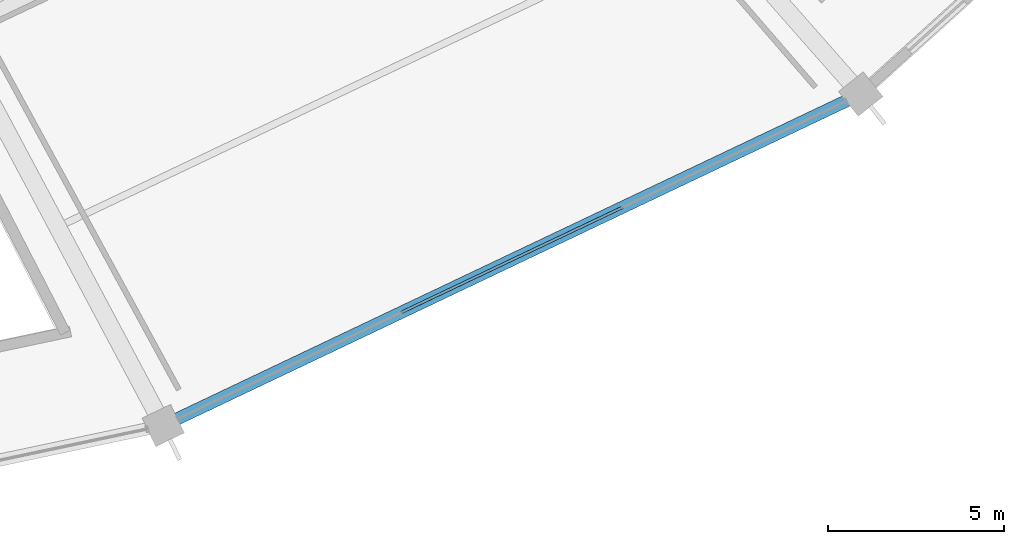
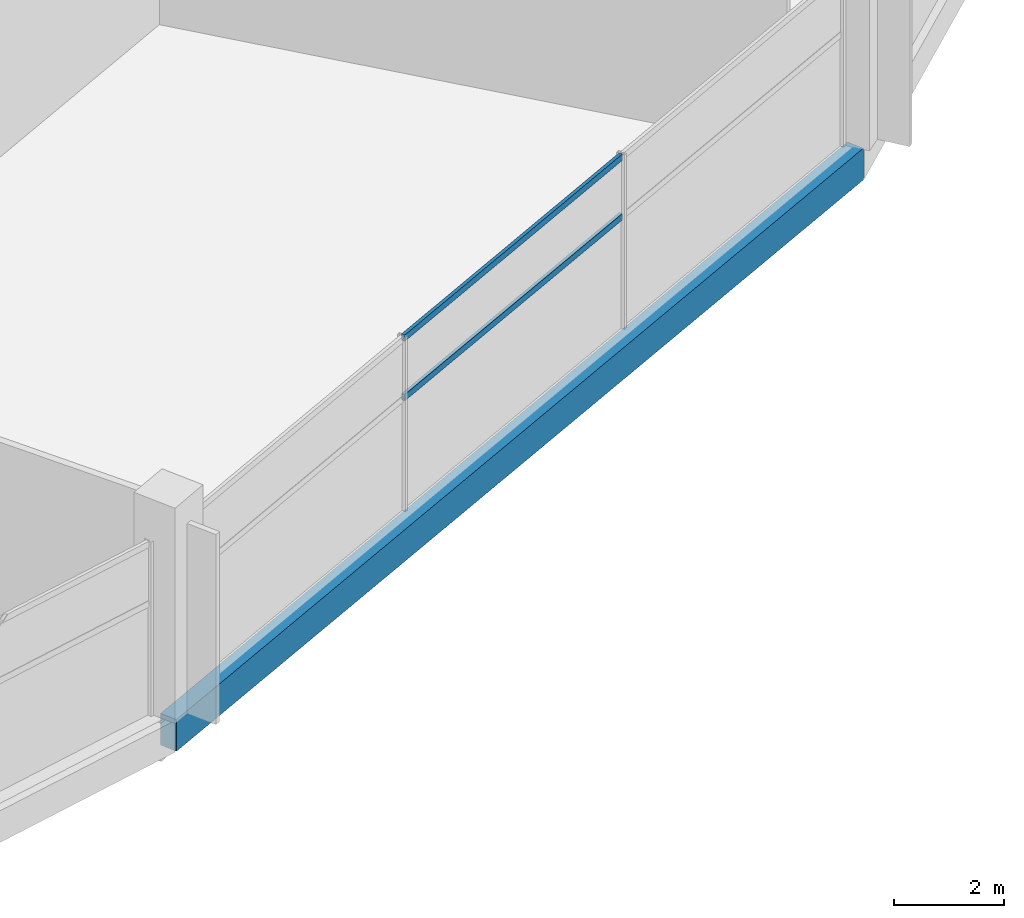
# One storey, part 44 of 156: 2 members, 1 beam, 1 element without a shape of its own.
"""IFC4 building model written with IfcOpenShell, lengths in metres."""

from ifc_helpers import new_model, si_unit, direction, frame, origin, origin_2d, place, context, subcontext, project, spatial, rectangle, hollow_rectangle, extrude, material, layer, layer_set, material_profile, profile_set, type_object, element, aggregate, save


model = new_model("IFC4")

# Units and contexts
model_context = context("Model", 3, precision=1e-05, world=origin(), true_north=direction((0.0, 1.0)))
body_context = subcontext(model_context, "Body", "Model", "MODEL_VIEW")
ifc_project = project(units=[si_unit("LENGTHUNIT", "METRE"), si_unit("AREAUNIT", "SQUARE_METRE"), si_unit("VOLUMEUNIT", "CUBIC_METRE"), si_unit("PLANEANGLEUNIT", "RADIAN"), si_unit("MASSUNIT", "GRAM", prefix="KILO")], contexts=[model_context])

# Site, building, storey
site_placement = place(None, origin())
site = spatial("IfcSite", under=ifc_project, at=site_placement, CompositionType="ELEMENT")
building_placement = place(site_placement, origin())
building = spatial("IfcBuilding", under=site, at=building_placement, Name="Kazemori Nagisa Stadium", CompositionType="ELEMENT")
storey_placement = place(building_placement, frame((0.0, 0.0, 5.780029296875)))
storey = spatial("IfcBuildingStorey", under=building, at=storey_placement, Name="L01", CompositionType="ELEMENT", Elevation=5.780029296875)

# Beam
ifc_material_1 = material(Name="Concrete C40/50 (Fc42)", Category="concrete")
ifc_material_profile_1 = material_profile(ifc_material_1, rectangle(XDim=0.35009765625, YDim=0.699951171875, at=origin_2d()), Name="RC-SP-350x700")
ifc_profile_set_1 = profile_set([ifc_material_profile_1], Name="Concrete C40/50 (Fc42)")
beam_type = type_object("IfcBeamType", Name="Beam_BS-RC350X700", PredefinedType="SPANDREL", material=ifc_profile_set_1)
beam_placement = place(storey_placement, frame((165.8046875, 21.53564453125, -0.630126953125), z_axis=(0.903215644095, 0.429187022475, 0.0), x_axis=(-0.429187022475, 0.903215644095, 0.0)))
element("IfcBeam", 1, at=beam_placement, inside=storey, type_object=beam_type, Name="Ring girder BS-RC350X700 L01 R3-24", PredefinedType="SPANDREL", context=body_context, shape_type="SweptSolid", body=[
    extrude(rectangle(XDim=0.35009765625, YDim=0.699951171875, at=origin_2d()), origin(), (0.0, 0.0, 1.0), 21.9140625),
])

# Curtain wall, members
ifc_material_2 = material(Name="Anodised aluminium 6063-T5", Category="aluminium")
ifc_layer = layer(ifc_material_2, 0.179931640625, Name="Anodised aluminium 6063-T5", Category="aluminium")
ifc_layer_set = layer_set([ifc_layer], Name="Anodised aluminium 6063-T5")
curtain_wall_type = type_object("IfcCurtainWallType", Name="CW_L01R3_105", PredefinedType="USERDEFINED", material=ifc_layer_set)
curtain_wall_placement = place(storey_placement, origin())
curtain_wall = element("IfcCurtainWall", 2, at=curtain_wall_placement, inside=storey, type_object=curtain_wall_type, Name="Unitised curtain wall CW-L01R3-105 L01", ObjectType="UNITISED CURTAIN WALL", PredefinedType="USERDEFINED")
ifc_material_3 = material(Name="Aluminium 6063-T5 anodised", Category="aluminium")
ifc_material_profile_2 = material_profile(ifc_material_3, hollow_rectangle(XDim=0.070068359375, YDim=0.139892578125, WallThickness=0.00390625, at=origin_2d()), Name="ALU-TRAN-70x140x4")
ifc_profile_set_2 = profile_set([ifc_material_profile_2], Name="Aluminium 6063-T5 anodised")
member_type = type_object("IfcMemberType", Name="Transom_T01", PredefinedType="USERDEFINED", material=ifc_profile_set_2)
member_1_placement = place(storey_placement, frame((172.5634765625, 24.747314453125, 2.4638671875), z_axis=(0.903207701329, 0.429203737473, 0.0), x_axis=(-0.429203737473, 0.903207701329, 0.0)))
member_1 = element("IfcMember", 3, at=member_1_placement, type_object=member_type, Name="Curtain wall transom CW-L01R3-105-T2-mid", ObjectType="TRANSOM", PredefinedType="USERDEFINED", context=body_context, shape_type="SweptSolid", body=[
    extrude(hollow_rectangle(XDim=0.070068359375, YDim=0.139892578125, WallThickness=0.00390625, at=origin_2d()), origin(), (0.0, 0.0, 1.0), 6.9482421875),
])
member_2_placement = place(storey_placement, frame((172.5634765625, 24.747314453125, 3.780029296875), z_axis=(0.903207701329, 0.429203737473, 0.0), x_axis=(-0.429203737473, 0.903207701329, 0.0)))
member_2 = element("IfcMember", 4, at=member_2_placement, type_object=member_type, Name="Curtain wall transom CW-L01R3-105-T2-head", ObjectType="TRANSOM", PredefinedType="USERDEFINED", context=body_context, shape_type="SweptSolid", body=[
    extrude(hollow_rectangle(XDim=0.070068359375, YDim=0.139892578125, WallThickness=0.00390625, at=origin_2d()), origin(), (0.0, 0.0, 1.0), 6.9482421875),
])
aggregate(curtain_wall, [member_1, member_2])

save(model, "model.ifc")
